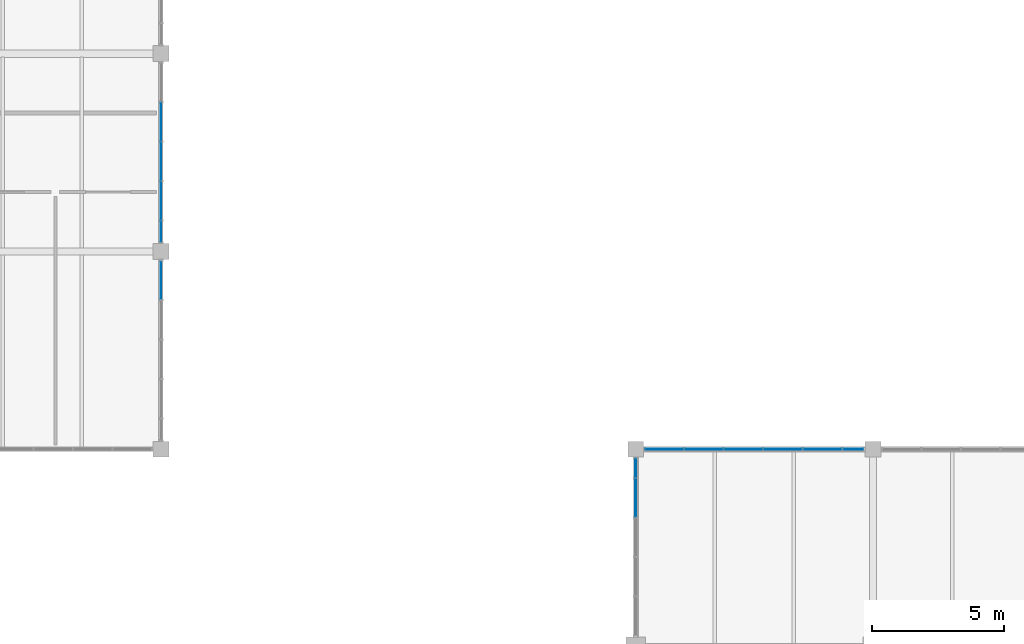
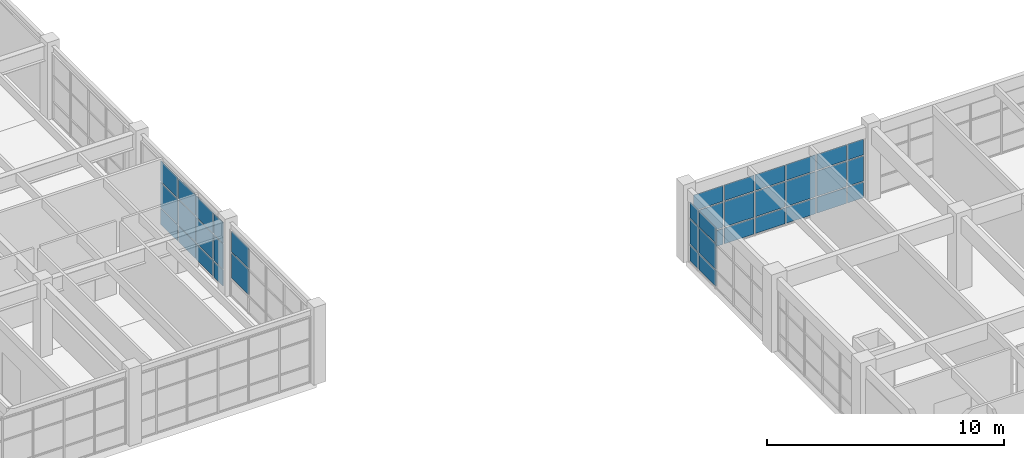
# One storey, part 53 of 76: 38 plates, 4 elements without a shape of their own.
"""IFC4 building model written with IfcOpenShell, lengths in metres."""

import ifcopenshell
import ifcopenshell.guid

model = None  # the IFC model being written
_history = None  # IfcOwnerHistory: only IFC2X3 demands one
_inside = {}  # id of a spatial element -> (the spatial element, [elements in it])
_under = {}  # id of a project, library or spatial element -> (it, [spatial elements below it])
_declared = {}  # id of a project -> (the project, [libraries it declares])
_typed = {}  # id of a type object -> (the type object, [elements of that type])
_made_of = {}  # id of a material, layer set ... -> (it, [elements and type objects made of it])


def new_model(schema):
    """Start an empty IFC model of exactly this schema.

    Asked for "IFC4X3", IfcOpenShell would pick the latest addendum, in which some entities
    have other attributes; the version numbers below select the first issue.
    IFC2X3 requires an IfcOwnerHistory on every rooted entity: one is made here for all.
    """
    global model, _history
    if schema == "IFC4X3":
        model = ifcopenshell.file(schema_version=(4, 3, 0, 0))
    else:
        model = ifcopenshell.file(schema=schema)
    _inside.clear()
    _under.clear()
    _declared.clear()
    _typed.clear()
    _made_of.clear()
    _history = None
    if model.schema == "IFC2X3":
        org = make("IfcOrganization", Name="unknown")
        user = make(
            "IfcPersonAndOrganization",
            ThePerson=make("IfcPerson", FamilyName="unknown"),
            TheOrganization=org,
        )
        app = make(
            "IfcApplication",
            ApplicationDeveloper=org,
            Version="unknown",
            ApplicationFullName="unknown",
            ApplicationIdentifier="unknown",
        )
        _history = make(
            "IfcOwnerHistory",
            OwningUser=user,
            OwningApplication=app,
            ChangeAction="ADDED",
            CreationDate=0,
        )
    return model


def make(cls, **values):
    """One entity of the class cls with the attributes given. An attribute that is None is left unset."""
    return model.create_entity(
        cls, **{name: value for name, value in values.items() if value is not None}
    )


def rooted(cls, **values):
    """An entity with a GlobalId (a new one), such as an element, a storey or a relation."""
    return make(cls, GlobalId=ifcopenshell.guid.new(), OwnerHistory=_history, **values)


def si_unit(unit_type, name, prefix=None):
    """IfcSIUnit, for example si_unit("LENGTHUNIT", "METRE", prefix="MILLI")."""
    return make("IfcSIUnit", UnitType=unit_type, Prefix=prefix, Name=name)


def assignment(units):
    """IfcUnitAssignment: the units of a project."""
    return None if units is None else make("IfcUnitAssignment", Units=units)


def point(xyz):
    """IfcCartesianPoint."""
    return None if xyz is None else make("IfcCartesianPoint", Coordinates=xyz)


def direction(xyz):
    """IfcDirection."""
    return None if xyz is None else make("IfcDirection", DirectionRatios=xyz)


def frame(location, z_axis=None, x_axis=None):
    """IfcAxis2Placement3D, a coordinate frame: its origin and axes. An axis left out is left unset."""
    return make(
        "IfcAxis2Placement3D",
        Location=point(location),
        Axis=direction(z_axis),
        RefDirection=direction(x_axis),
    )


def frame_2d(location, x_axis=None):
    """IfcAxis2Placement2D, a coordinate frame in the plane: its origin and x axis."""
    return make(
        "IfcAxis2Placement2D", Location=point(location), RefDirection=direction(x_axis)
    )


def origin():
    """The frame at (0, 0, 0) with its axes left unset."""
    return frame((0.0, 0.0, 0.0))


def origin_2d():
    """The frame at (0, 0) in the plane with its x axis left unset."""
    return frame_2d((0.0, 0.0))


def place(relative_to, where):
    """IfcLocalPlacement: puts the frame where relative to a parent placement (None: the world)."""
    return make(
        "IfcLocalPlacement", PlacementRelTo=relative_to, RelativePlacement=where
    )


def context(
    kind, dimensions, precision=None, world=None, true_north=None, identifier=None
):
    """IfcGeometricRepresentationContext, for example the 3D "Model" context."""
    return make(
        "IfcGeometricRepresentationContext",
        ContextIdentifier=identifier,
        ContextType=kind,
        CoordinateSpaceDimension=dimensions,
        Precision=precision,
        WorldCoordinateSystem=world,
        TrueNorth=true_north,
    )


def subcontext(parent, identifier, kind, view, scale=None):
    """IfcGeometricRepresentationSubContext, for example "Body" below "Model"."""
    return make(
        "IfcGeometricRepresentationSubContext",
        ContextIdentifier=identifier,
        ContextType=kind,
        ParentContext=parent,
        TargetScale=scale,
        TargetView=view,
    )


def project(units=None, contexts=None):
    """IfcProject with its units and contexts."""
    return rooted(
        "IfcProject",
        Name="project",
        RepresentationContexts=contexts,
        UnitsInContext=assignment(units),
    )


def spatial(cls, under=None, at=None, **own):
    """A site, building, storey or space (cls), placed at a placement, below another one or the project."""
    s = rooted(cls, ObjectPlacement=at, **own)
    if under is not None:
        _under.setdefault(under.id(), (under, []))[1].append(s)
    return s


def profile(cls, at=None, kind="AREA", **sizes):
    """A parametric profile (cls). Its sizes go by their IFC names, for example OverallWidth=200.0."""
    return make(cls, ProfileType=kind, Position=at, **sizes)


def rectangle(**sizes):
    """IfcRectangleProfileDef."""
    return profile("IfcRectangleProfileDef", **sizes)


def extrude(swept, where, along, depth):
    """IfcExtrudedAreaSolid: the profile swept, set in the frame where, extruded along a direction by depth."""
    return make(
        "IfcExtrudedAreaSolid",
        SweptArea=swept,
        Position=where,
        ExtrudedDirection=direction(along),
        Depth=depth,
    )


def shape(context_of_items, identifier, shape_type, items):
    """IfcShapeRepresentation: the items that make up one representation, for example the "Body"."""
    return make(
        "IfcShapeRepresentation",
        ContextOfItems=context_of_items,
        RepresentationIdentifier=identifier,
        RepresentationType=shape_type,
        Items=items,
    )


def material(Name=None, Category=None):
    """IfcMaterial."""
    return make("IfcMaterial", Name=Name, Category=Category)


def layer(
    of_material, thickness, ventilated=None, Name=None, Category=None, Priority=None
):
    """IfcMaterialLayer: one layer of a wall or slab, of a material (None: an air gap)."""
    return make(
        "IfcMaterialLayer",
        Material=of_material,
        LayerThickness=thickness,
        IsVentilated=ventilated,
        Name=Name,
        Category=Category,
        Priority=Priority,
    )


def layer_set(layers, Name=None):
    """IfcMaterialLayerSet."""
    return make("IfcMaterialLayerSet", MaterialLayers=layers, LayerSetName=Name)


def made_of(thing, what):
    """Note that an element or type object is made of a material, layer set ...; save() writes the relation."""
    if what is not None:
        _made_of.setdefault(what.id(), (what, []))[1].append(thing)
    return thing


def type_object(cls, material=None, **own):
    """A type object (cls), such as IfcWallType, which elements share."""
    return made_of(rooted(cls, **own), material)


def element(
    cls,
    number,
    at=None,
    inside=None,
    cuts=None,
    type_object=None,
    material=None,
    context=None,
    identifier="Body",
    shape_type=None,
    held_by="IfcProductDefinitionShape",
    body=None,
    shapes=None,
    **own,
):
    """One element of the class cls, such as IfcWall. Its Tag is "e" and its number.

    at: its placement. inside: the storey or other place that contains it. cuts: it is an
    opening in that element (IfcRelVoidsElement). A single representation is given by context,
    identifier, shape_type and body (its items); several are given by shapes. held_by: the class
    of the entity that holds the representations. save() writes the other relations.
    """
    e = rooted(cls, Tag="e%d" % number, ObjectPlacement=at, **own)
    if body is not None:
        shapes = [shape(context, identifier, shape_type, body)]
    if shapes is not None:
        e.Representation = make(held_by, Representations=shapes)
    if inside is not None:
        _inside.setdefault(inside.id(), (inside, []))[1].append(e)
    if cuts is not None:
        rooted(
            "IfcRelVoidsElement", RelatingBuildingElement=cuts, RelatedOpeningElement=e
        )
    if type_object is not None:
        _typed.setdefault(type_object.id(), (type_object, []))[1].append(e)
    return made_of(e, material)


def aggregate(whole, parts):
    """IfcRelAggregates: a whole, such as a stair, and the parts it consists of."""
    return rooted("IfcRelAggregates", RelatingObject=whole, RelatedObjects=parts)


def save(model, path):
    """Write the relations noted so far, then the file.

    IfcRelAggregates (storeys below a building ...), IfcRelContainedInSpatialStructure (elements
    in a storey), IfcRelDefinesByType, IfcRelAssociatesMaterial and IfcRelDeclares: one each for
    every whole, place, type object, material and project.
    """
    for whole, parts in _under.values():
        aggregate(whole, parts)
    for where, things in _inside.values():
        rooted(
            "IfcRelContainedInSpatialStructure",
            RelatedElements=things,
            RelatingStructure=where,
        )
    for kind, things in _typed.values():
        rooted("IfcRelDefinesByType", RelatedObjects=things, RelatingType=kind)
    for what, things in _made_of.values():
        rooted("IfcRelAssociatesMaterial", RelatedObjects=things, RelatingMaterial=what)
    for by, libraries in _declared.values():
        rooted("IfcRelDeclares", RelatingContext=by, RelatedDefinitions=libraries)
    model.write(path)


model = new_model("IFC4")

# Units and contexts
model_context = context("Model", 3, precision=1e-05, world=origin(), true_north=direction((0.0, 1.0)))
body_context = subcontext(model_context, "Body", "Model", "MODEL_VIEW")
ifc_project = project(units=[si_unit("LENGTHUNIT", "METRE"), si_unit("AREAUNIT", "SQUARE_METRE"), si_unit("VOLUMEUNIT", "CUBIC_METRE"), si_unit("PLANEANGLEUNIT", "RADIAN"), si_unit("MASSUNIT", "GRAM", prefix="KILO")], contexts=[model_context])

# Site, building, storey
site_placement = place(None, origin())
site = spatial("IfcSite", under=ifc_project, at=site_placement, CompositionType="ELEMENT")
building_placement = place(site_placement, origin())
building = spatial("IfcBuilding", under=site, at=building_placement, Name="Marnridge Secondary College", CompositionType="ELEMENT")
storey_placement = place(building_placement, frame((0.0, 0.0, 4.5)))
storey = spatial("IfcBuildingStorey", under=building, at=storey_placement, Name="L01", CompositionType="ELEMENT", Elevation=4.5)

# Curtain wall, plates
ifc_material_1 = material(Name="Thermally broken aluminium and low-E glazing", Category="aluminium")
ifc_layer_1 = layer(ifc_material_1, 0.159912109375)
ifc_layer_set_1 = layer_set([ifc_layer_1], Name="CW-MOD-1500")
curtain_wall_type = type_object("IfcCurtainWallType", Name="CW-MOD-1500", PredefinedType="NOTDEFINED", material=ifc_layer_set_1)
curtain_wall_1_placement = place(storey_placement, origin())
curtain_wall_1 = element("IfcCurtainWall", 1, at=curtain_wall_1_placement, inside=storey, type_object=curtain_wall_type, Name="Unitised curtain wall CW-L01-028", PredefinedType="NOTDEFINED")
ifc_material_2 = material(Name="Double-glazed low-E argon unit", Category="glass")
ifc_layer_2 = layer(ifc_material_2, 0.028076171875)
ifc_layer_set_2 = layer_set([ifc_layer_2], Name="CWP-GLZ28")
plate_type = type_object("IfcPlateType", Name="CWP-GLZ28", PredefinedType="CURTAIN_PANEL", material=ifc_layer_set_2)
plate_1_placement = place(storey_placement, frame((55.083984375, 82.5, 0.06005859375), z_axis=(0.0, 0.0, 1.0), x_axis=(1.0, 0.0, 0.0)))
plate_1 = element("IfcPlate", 2, at=plate_1_placement, type_object=plate_type, Name="CW-L01-028 panel 1.1", PredefinedType="CURTAIN_PANEL", context=body_context, shape_type="SweptSolid", body=[
    extrude(rectangle(XDim=1.43994140625, YDim=0.028076171875, at=origin_2d()), origin(), (0.0, 0.0, 1.0), 0.81005859375),
])
plate_2_placement = place(storey_placement, frame((55.083984375, 82.5, 0.929931640625), z_axis=(0.0, 0.0, 1.0), x_axis=(1.0, 0.0, 0.0)))
plate_2 = element("IfcPlate", 3, at=plate_2_placement, type_object=plate_type, Name="CW-L01-028 panel 1.2", PredefinedType="CURTAIN_PANEL", context=body_context, shape_type="SweptSolid", body=[
    extrude(rectangle(XDim=1.43994140625, YDim=0.028076171875, at=origin_2d()), origin(), (0.0, 0.0, 1.0), 1.2900390625),
])
plate_3_placement = place(storey_placement, frame((55.083984375, 82.5, 2.2802734375), z_axis=(0.0, 0.0, 1.0), x_axis=(1.0, 0.0, 0.0)))
plate_3 = element("IfcPlate", 4, at=plate_3_placement, type_object=plate_type, Name="CW-L01-028 panel 1.3", PredefinedType="CURTAIN_PANEL", context=body_context, shape_type="SweptSolid", body=[
    extrude(rectangle(XDim=1.43994140625, YDim=0.028076171875, at=origin_2d()), origin(), (0.0, 0.0, 1.0), 0.806884765625),
])
plate_4_placement = place(storey_placement, frame((56.583984375, 82.5, 0.06005859375), z_axis=(0.0, 0.0, 1.0), x_axis=(1.0, 0.0, 0.0)))
plate_4 = element("IfcPlate", 5, at=plate_4_placement, type_object=plate_type, Name="CW-L01-028 panel 2.1", PredefinedType="CURTAIN_PANEL", context=body_context, shape_type="SweptSolid", body=[
    extrude(rectangle(XDim=1.43994140625, YDim=0.028076171875, at=origin_2d()), origin(), (0.0, 0.0, 1.0), 0.81005859375),
])
plate_5_placement = place(storey_placement, frame((56.583984375, 82.5, 0.929931640625), z_axis=(0.0, 0.0, 1.0), x_axis=(1.0, 0.0, 0.0)))
plate_5 = element("IfcPlate", 6, at=plate_5_placement, type_object=plate_type, Name="CW-L01-028 panel 2.2", PredefinedType="CURTAIN_PANEL", context=body_context, shape_type="SweptSolid", body=[
    extrude(rectangle(XDim=1.43994140625, YDim=0.028076171875, at=origin_2d()), origin(), (0.0, 0.0, 1.0), 1.2900390625),
])
plate_6_placement = place(storey_placement, frame((56.583984375, 82.5, 2.2802734375), z_axis=(0.0, 0.0, 1.0), x_axis=(1.0, 0.0, 0.0)))
plate_6 = element("IfcPlate", 7, at=plate_6_placement, type_object=plate_type, Name="CW-L01-028 panel 2.3", PredefinedType="CURTAIN_PANEL", context=body_context, shape_type="SweptSolid", body=[
    extrude(rectangle(XDim=1.43994140625, YDim=0.028076171875, at=origin_2d()), origin(), (0.0, 0.0, 1.0), 0.806884765625),
])
plate_7_placement = place(storey_placement, frame((58.083984375, 82.5, 0.06005859375), z_axis=(0.0, 0.0, 1.0), x_axis=(1.0, 0.0, 0.0)))
plate_7 = element("IfcPlate", 8, at=plate_7_placement, type_object=plate_type, Name="CW-L01-028 panel 3.1", PredefinedType="CURTAIN_PANEL", context=body_context, shape_type="SweptSolid", body=[
    extrude(rectangle(XDim=1.43994140625, YDim=0.028076171875, at=origin_2d()), origin(), (0.0, 0.0, 1.0), 0.81005859375),
])
plate_8_placement = place(storey_placement, frame((58.083984375, 82.5, 0.929931640625), z_axis=(0.0, 0.0, 1.0), x_axis=(1.0, 0.0, 0.0)))
plate_8 = element("IfcPlate", 9, at=plate_8_placement, type_object=plate_type, Name="CW-L01-028 panel 3.2", PredefinedType="CURTAIN_PANEL", context=body_context, shape_type="SweptSolid", body=[
    extrude(rectangle(XDim=1.43994140625, YDim=0.028076171875, at=origin_2d()), origin(), (0.0, 0.0, 1.0), 1.2900390625),
])
plate_9_placement = place(storey_placement, frame((58.083984375, 82.5, 2.2802734375), z_axis=(0.0, 0.0, 1.0), x_axis=(1.0, 0.0, 0.0)))
plate_9 = element("IfcPlate", 10, at=plate_9_placement, type_object=plate_type, Name="CW-L01-028 panel 3.3", PredefinedType="CURTAIN_PANEL", context=body_context, shape_type="SweptSolid", body=[
    extrude(rectangle(XDim=1.43994140625, YDim=0.028076171875, at=origin_2d()), origin(), (0.0, 0.0, 1.0), 0.806884765625),
])
plate_10_placement = place(storey_placement, frame((59.583984375, 82.5, 0.06005859375), z_axis=(0.0, 0.0, 1.0), x_axis=(1.0, 0.0, 0.0)))
plate_10 = element("IfcPlate", 11, at=plate_10_placement, type_object=plate_type, Name="CW-L01-028 panel 4.1", PredefinedType="CURTAIN_PANEL", context=body_context, shape_type="SweptSolid", body=[
    extrude(rectangle(XDim=1.43994140625, YDim=0.028076171875, at=origin_2d()), origin(), (0.0, 0.0, 1.0), 0.81005859375),
])
plate_11_placement = place(storey_placement, frame((59.583984375, 82.5, 0.929931640625), z_axis=(0.0, 0.0, 1.0), x_axis=(1.0, 0.0, 0.0)))
plate_11 = element("IfcPlate", 12, at=plate_11_placement, type_object=plate_type, Name="CW-L01-028 panel 4.2", PredefinedType="CURTAIN_PANEL", context=body_context, shape_type="SweptSolid", body=[
    extrude(rectangle(XDim=1.43994140625, YDim=0.028076171875, at=origin_2d()), origin(), (0.0, 0.0, 1.0), 1.2900390625),
])
plate_12_placement = place(storey_placement, frame((59.583984375, 82.5, 2.2802734375), z_axis=(0.0, 0.0, 1.0), x_axis=(1.0, 0.0, 0.0)))
plate_12 = element("IfcPlate", 13, at=plate_12_placement, type_object=plate_type, Name="CW-L01-028 panel 4.3", PredefinedType="CURTAIN_PANEL", context=body_context, shape_type="SweptSolid", body=[
    extrude(rectangle(XDim=1.43994140625, YDim=0.028076171875, at=origin_2d()), origin(), (0.0, 0.0, 1.0), 0.806884765625),
])
plate_13_placement = place(storey_placement, frame((61.083984375, 82.5, 0.06005859375), z_axis=(0.0, 0.0, 1.0), x_axis=(1.0, 0.0, 0.0)))
plate_13 = element("IfcPlate", 14, at=plate_13_placement, type_object=plate_type, Name="CW-L01-028 panel 5.1", PredefinedType="CURTAIN_PANEL", context=body_context, shape_type="SweptSolid", body=[
    extrude(rectangle(XDim=1.43994140625, YDim=0.028076171875, at=origin_2d()), origin(), (0.0, 0.0, 1.0), 0.81005859375),
])
plate_14_placement = place(storey_placement, frame((61.083984375, 82.5, 0.929931640625), z_axis=(0.0, 0.0, 1.0), x_axis=(1.0, 0.0, 0.0)))
plate_14 = element("IfcPlate", 15, at=plate_14_placement, type_object=plate_type, Name="CW-L01-028 panel 5.2", PredefinedType="CURTAIN_PANEL", context=body_context, shape_type="SweptSolid", body=[
    extrude(rectangle(XDim=1.43994140625, YDim=0.028076171875, at=origin_2d()), origin(), (0.0, 0.0, 1.0), 1.2900390625),
])
plate_15_placement = place(storey_placement, frame((61.083984375, 82.5, 2.2802734375), z_axis=(0.0, 0.0, 1.0), x_axis=(1.0, 0.0, 0.0)))
plate_15 = element("IfcPlate", 16, at=plate_15_placement, type_object=plate_type, Name="CW-L01-028 panel 5.3", PredefinedType="CURTAIN_PANEL", context=body_context, shape_type="SweptSolid", body=[
    extrude(rectangle(XDim=1.43994140625, YDim=0.028076171875, at=origin_2d()), origin(), (0.0, 0.0, 1.0), 0.806884765625),
])
plate_16_placement = place(storey_placement, frame((62.25, 82.5, 0.06005859375), z_axis=(0.0, 0.0, 1.0), x_axis=(1.0, 0.0, 0.0)))
plate_16 = element("IfcPlate", 17, at=plate_16_placement, type_object=plate_type, Name="CW-L01-028 panel 6.1", PredefinedType="CURTAIN_PANEL", context=body_context, shape_type="SweptSolid", body=[
    extrude(rectangle(XDim=0.77197265625, YDim=0.028076171875, at=origin_2d()), origin(), (0.0, 0.0, 1.0), 0.81005859375),
])
plate_17_placement = place(storey_placement, frame((62.25, 82.5, 0.929931640625), z_axis=(0.0, 0.0, 1.0), x_axis=(1.0, 0.0, 0.0)))
plate_17 = element("IfcPlate", 18, at=plate_17_placement, type_object=plate_type, Name="CW-L01-028 panel 6.2", PredefinedType="CURTAIN_PANEL", context=body_context, shape_type="SweptSolid", body=[
    extrude(rectangle(XDim=0.77197265625, YDim=0.028076171875, at=origin_2d()), origin(), (0.0, 0.0, 1.0), 1.2900390625),
])
plate_18_placement = place(storey_placement, frame((62.25, 82.5, 2.2802734375), z_axis=(0.0, 0.0, 1.0), x_axis=(1.0, 0.0, 0.0)))
plate_18 = element("IfcPlate", 19, at=plate_18_placement, type_object=plate_type, Name="CW-L01-028 panel 6.3", PredefinedType="CURTAIN_PANEL", context=body_context, shape_type="SweptSolid", body=[
    extrude(rectangle(XDim=0.77197265625, YDim=0.028076171875, at=origin_2d()), origin(), (0.0, 0.0, 1.0), 0.806884765625),
])
aggregate(curtain_wall_1, [plate_1, plate_2, plate_3, plate_4, plate_5, plate_6, plate_7, plate_8, plate_9, plate_10, plate_11, plate_12, plate_13, plate_14, plate_15, plate_16, plate_17, plate_18])

curtain_wall_2_placement = place(storey_placement, origin())
curtain_wall_2 = element("IfcCurtainWall", 20, at=curtain_wall_2_placement, inside=storey, type_object=curtain_wall_type, Name="Unitised curtain wall CW-L01-041", PredefinedType="NOTDEFINED")
plate_19_placement = place(storey_placement, frame((54.0, 80.658935546875, 0.06005859375), z_axis=(0.0, 0.0, 1.0), x_axis=(0.0, 1.0, 0.0)))
plate_19 = element("IfcPlate", 21, at=plate_19_placement, type_object=plate_type, Name="CW-L01-041 panel 4.1", PredefinedType="CURTAIN_PANEL", context=body_context, shape_type="SweptSolid", body=[
    extrude(rectangle(XDim=1.43994140625, YDim=0.028076171875, at=origin_2d()), origin(), (0.0, 0.0, 1.0), 0.81005859375),
])
plate_20_placement = place(storey_placement, frame((54.0, 80.658935546875, 0.929931640625), z_axis=(0.0, 0.0, 1.0), x_axis=(0.0, 1.0, 0.0)))
plate_20 = element("IfcPlate", 22, at=plate_20_placement, type_object=plate_type, Name="CW-L01-041 panel 4.2", PredefinedType="CURTAIN_PANEL", context=body_context, shape_type="SweptSolid", body=[
    extrude(rectangle(XDim=1.43994140625, YDim=0.028076171875, at=origin_2d()), origin(), (0.0, 0.0, 1.0), 1.2900390625),
])
plate_21_placement = place(storey_placement, frame((54.0, 80.658935546875, 2.2802734375), z_axis=(0.0, 0.0, 1.0), x_axis=(0.0, 1.0, 0.0)))
plate_21 = element("IfcPlate", 23, at=plate_21_placement, type_object=plate_type, Name="CW-L01-041 panel 4.3", PredefinedType="CURTAIN_PANEL", context=body_context, shape_type="SweptSolid", body=[
    extrude(rectangle(XDim=1.43994140625, YDim=0.028076171875, at=origin_2d()), origin(), (0.0, 0.0, 1.0), 0.806884765625),
])
plate_22_placement = place(storey_placement, frame((54.0, 81.78759765625, 0.06005859375), z_axis=(0.0, 0.0, 1.0), x_axis=(0.0, 1.0, 0.0)))
plate_22 = element("IfcPlate", 24, at=plate_22_placement, type_object=plate_type, Name="CW-L01-041 panel 5.1", PredefinedType="CURTAIN_PANEL", context=body_context, shape_type="SweptSolid", body=[
    extrude(rectangle(XDim=0.697021484375, YDim=0.028076171875, at=origin_2d()), origin(), (0.0, 0.0, 1.0), 0.81005859375),
])
plate_23_placement = place(storey_placement, frame((54.0, 81.78759765625, 0.929931640625), z_axis=(0.0, 0.0, 1.0), x_axis=(0.0, 1.0, 0.0)))
plate_23 = element("IfcPlate", 25, at=plate_23_placement, type_object=plate_type, Name="CW-L01-041 panel 5.2", PredefinedType="CURTAIN_PANEL", context=body_context, shape_type="SweptSolid", body=[
    extrude(rectangle(XDim=0.697021484375, YDim=0.028076171875, at=origin_2d()), origin(), (0.0, 0.0, 1.0), 1.2900390625),
])
plate_24_placement = place(storey_placement, frame((54.0, 81.78759765625, 2.2802734375), z_axis=(0.0, 0.0, 1.0), x_axis=(0.0, 1.0, 0.0)))
plate_24 = element("IfcPlate", 26, at=plate_24_placement, type_object=plate_type, Name="CW-L01-041 panel 5.3", PredefinedType="CURTAIN_PANEL", context=body_context, shape_type="SweptSolid", body=[
    extrude(rectangle(XDim=0.697021484375, YDim=0.028076171875, at=origin_2d()), origin(), (0.0, 0.0, 1.0), 0.806884765625),
])
aggregate(curtain_wall_2, [plate_19, plate_20, plate_21, plate_22, plate_23, plate_24])

curtain_wall_3_placement = place(storey_placement, origin())
curtain_wall_3 = element("IfcCurtainWall", 27, at=curtain_wall_3_placement, inside=storey, type_object=curtain_wall_type, Name="Unitised curtain wall CW-L01-049", PredefinedType="NOTDEFINED")
plate_25_placement = place(storey_placement, frame((36.0, 94.916015625, 0.06005859375), z_axis=(0.0, 0.0, 1.0), x_axis=(0.0, -1.0, 0.0)))
plate_25 = element("IfcPlate", 28, at=plate_25_placement, type_object=plate_type, Name="CW-L01-049 panel 2.1", PredefinedType="CURTAIN_PANEL", context=body_context, shape_type="SweptSolid", body=[
    extrude(rectangle(XDim=1.43994140625, YDim=0.028076171875, at=origin_2d()), origin(), (0.0, 0.0, 1.0), 0.81005859375),
])
plate_26_placement = place(storey_placement, frame((36.0, 94.916015625, 0.929931640625), z_axis=(0.0, 0.0, 1.0), x_axis=(0.0, -1.0, 0.0)))
plate_26 = element("IfcPlate", 29, at=plate_26_placement, type_object=plate_type, Name="CW-L01-049 panel 2.2", PredefinedType="CURTAIN_PANEL", context=body_context, shape_type="SweptSolid", body=[
    extrude(rectangle(XDim=1.43994140625, YDim=0.028076171875, at=origin_2d()), origin(), (0.0, 0.0, 1.0), 1.2900390625),
])
plate_27_placement = place(storey_placement, frame((36.0, 94.916015625, 2.280029296875), z_axis=(0.0, 0.0, 1.0), x_axis=(0.0, -1.0, 0.0)))
plate_27 = element("IfcPlate", 30, at=plate_27_placement, type_object=plate_type, Name="CW-L01-049 panel 2.3", PredefinedType="CURTAIN_PANEL", context=body_context, shape_type="SweptSolid", body=[
    extrude(rectangle(XDim=1.43994140625, YDim=0.028076171875, at=origin_2d()), origin(), (0.0, 0.0, 1.0), 1.06005859375),
])
plate_28_placement = place(storey_placement, frame((36.0, 93.416015625, 0.06005859375), z_axis=(0.0, 0.0, 1.0), x_axis=(0.0, -1.0, 0.0)))
plate_28 = element("IfcPlate", 31, at=plate_28_placement, type_object=plate_type, Name="CW-L01-049 panel 3.1", PredefinedType="CURTAIN_PANEL", context=body_context, shape_type="SweptSolid", body=[
    extrude(rectangle(XDim=1.43994140625, YDim=0.028076171875, at=origin_2d()), origin(), (0.0, 0.0, 1.0), 0.81005859375),
])
plate_29_placement = place(storey_placement, frame((36.0, 93.416015625, 0.929931640625), z_axis=(0.0, 0.0, 1.0), x_axis=(0.0, -1.0, 0.0)))
plate_29 = element("IfcPlate", 32, at=plate_29_placement, type_object=plate_type, Name="CW-L01-049 panel 3.2", PredefinedType="CURTAIN_PANEL", context=body_context, shape_type="SweptSolid", body=[
    extrude(rectangle(XDim=1.43994140625, YDim=0.028076171875, at=origin_2d()), origin(), (0.0, 0.0, 1.0), 1.2900390625),
])
plate_30_placement = place(storey_placement, frame((36.0, 93.416015625, 2.280029296875), z_axis=(0.0, 0.0, 1.0), x_axis=(0.0, -1.0, 0.0)))
plate_30 = element("IfcPlate", 33, at=plate_30_placement, type_object=plate_type, Name="CW-L01-049 panel 3.3", PredefinedType="CURTAIN_PANEL", context=body_context, shape_type="SweptSolid", body=[
    extrude(rectangle(XDim=1.43994140625, YDim=0.028076171875, at=origin_2d()), origin(), (0.0, 0.0, 1.0), 1.06005859375),
])
plate_31_placement = place(storey_placement, frame((36.0, 91.916015625, 0.06005859375), z_axis=(0.0, 0.0, 1.0), x_axis=(0.0, -1.0, 0.0)))
plate_31 = element("IfcPlate", 34, at=plate_31_placement, type_object=plate_type, Name="CW-L01-049 panel 4.1", PredefinedType="CURTAIN_PANEL", context=body_context, shape_type="SweptSolid", body=[
    extrude(rectangle(XDim=1.43994140625, YDim=0.028076171875, at=origin_2d()), origin(), (0.0, 0.0, 1.0), 0.81005859375),
])
plate_32_placement = place(storey_placement, frame((36.0, 91.916015625, 0.929931640625), z_axis=(0.0, 0.0, 1.0), x_axis=(0.0, -1.0, 0.0)))
plate_32 = element("IfcPlate", 35, at=plate_32_placement, type_object=plate_type, Name="CW-L01-049 panel 4.2", PredefinedType="CURTAIN_PANEL", context=body_context, shape_type="SweptSolid", body=[
    extrude(rectangle(XDim=1.43994140625, YDim=0.028076171875, at=origin_2d()), origin(), (0.0, 0.0, 1.0), 1.2900390625),
])
plate_33_placement = place(storey_placement, frame((36.0, 91.916015625, 2.280029296875), z_axis=(0.0, 0.0, 1.0), x_axis=(0.0, -1.0, 0.0)))
plate_33 = element("IfcPlate", 36, at=plate_33_placement, type_object=plate_type, Name="CW-L01-049 panel 4.3", PredefinedType="CURTAIN_PANEL", context=body_context, shape_type="SweptSolid", body=[
    extrude(rectangle(XDim=1.43994140625, YDim=0.028076171875, at=origin_2d()), origin(), (0.0, 0.0, 1.0), 1.06005859375),
])
plate_34_placement = place(storey_placement, frame((36.0, 90.75, 0.06005859375), z_axis=(0.0, 0.0, 1.0), x_axis=(0.0, -1.0, 0.0)))
plate_34 = element("IfcPlate", 37, at=plate_34_placement, type_object=plate_type, Name="CW-L01-049 panel 5.1", PredefinedType="CURTAIN_PANEL", context=body_context, shape_type="SweptSolid", body=[
    extrude(rectangle(XDim=0.77197265625, YDim=0.028076171875, at=origin_2d()), origin(), (0.0, 0.0, 1.0), 0.81005859375),
])
plate_35_placement = place(storey_placement, frame((36.0, 90.75, 0.929931640625), z_axis=(0.0, 0.0, 1.0), x_axis=(0.0, -1.0, 0.0)))
plate_35 = element("IfcPlate", 38, at=plate_35_placement, type_object=plate_type, Name="CW-L01-049 panel 5.2", PredefinedType="CURTAIN_PANEL", context=body_context, shape_type="SweptSolid", body=[
    extrude(rectangle(XDim=0.77197265625, YDim=0.028076171875, at=origin_2d()), origin(), (0.0, 0.0, 1.0), 1.2900390625),
])
plate_36_placement = place(storey_placement, frame((36.0, 90.75, 2.280029296875), z_axis=(0.0, 0.0, 1.0), x_axis=(0.0, -1.0, 0.0)))
plate_36 = element("IfcPlate", 39, at=plate_36_placement, type_object=plate_type, Name="CW-L01-049 panel 5.3", PredefinedType="CURTAIN_PANEL", context=body_context, shape_type="SweptSolid", body=[
    extrude(rectangle(XDim=0.77197265625, YDim=0.028076171875, at=origin_2d()), origin(), (0.0, 0.0, 1.0), 1.06005859375),
])
aggregate(curtain_wall_3, [plate_25, plate_26, plate_27, plate_28, plate_29, plate_30, plate_31, plate_32, plate_33, plate_34, plate_35, plate_36])

curtain_wall_4_placement = place(storey_placement, origin())
curtain_wall_4 = element("IfcCurtainWall", 40, at=curtain_wall_4_placement, inside=storey, type_object=curtain_wall_type, Name="Unitised curtain wall CW-L01-050", PredefinedType="NOTDEFINED")
plate_37_placement = place(storey_placement, frame((36.0, 88.916015625, 0.929931640625), z_axis=(0.0, 0.0, 1.0), x_axis=(0.0, -1.0, 0.0)))
plate_37 = element("IfcPlate", 41, at=plate_37_placement, type_object=plate_type, Name="CW-L01-050 panel 1.2", PredefinedType="CURTAIN_PANEL", context=body_context, shape_type="SweptSolid", body=[
    extrude(rectangle(XDim=1.43994140625, YDim=0.028076171875, at=origin_2d()), origin(), (0.0, 0.0, 1.0), 1.2900390625),
])
plate_38_placement = place(storey_placement, frame((36.0, 88.916015625, 2.280029296875), z_axis=(0.0, 0.0, 1.0), x_axis=(0.0, -1.0, 0.0)))
plate_38 = element("IfcPlate", 42, at=plate_38_placement, type_object=plate_type, Name="CW-L01-050 panel 1.3", PredefinedType="CURTAIN_PANEL", context=body_context, shape_type="SweptSolid", body=[
    extrude(rectangle(XDim=1.43994140625, YDim=0.028076171875, at=origin_2d()), origin(), (0.0, 0.0, 1.0), 1.06005859375),
])
aggregate(curtain_wall_4, [plate_37, plate_38])

save(model, "model.ifc")
